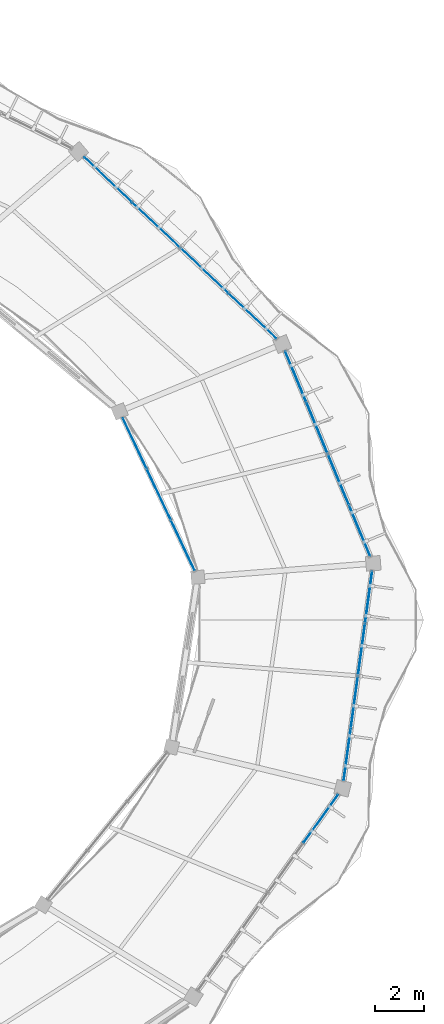
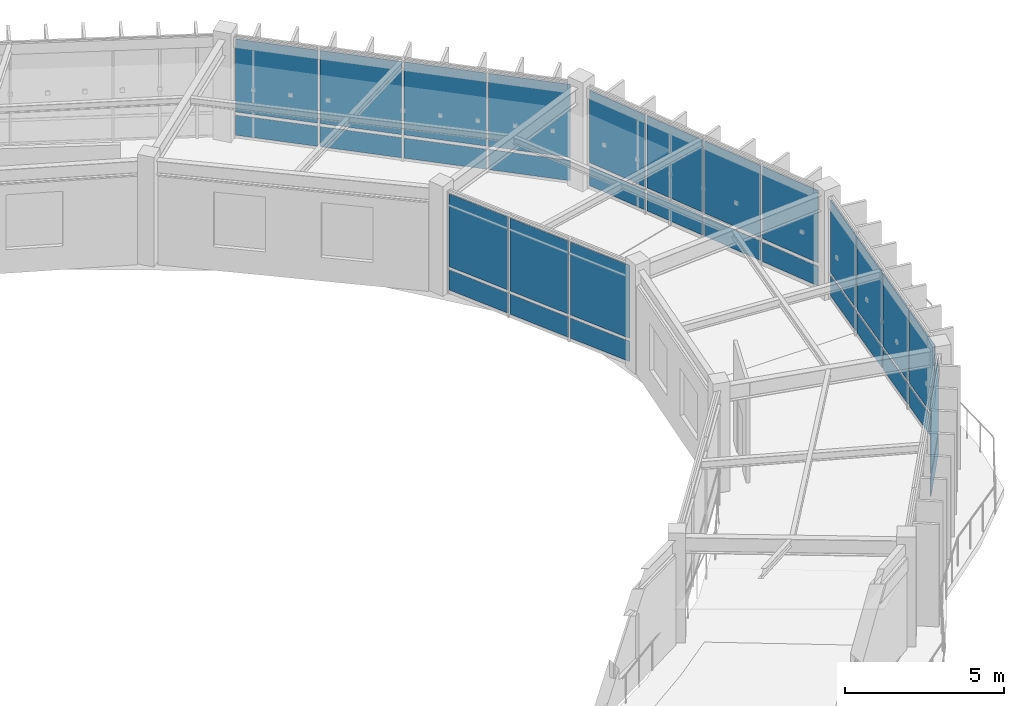
# One storey, part 65 of 83: 32 plates, 5 elements without a shape of their own.
"""IFC4 building model written with IfcOpenShell, lengths in metres."""

from ifc_helpers import new_model, si_unit, direction, frame, origin, origin_2d, place, context, subcontext, project, spatial, rectangle, extrude, material, layer, layer_set, type_object, element, aggregate, save


model = new_model("IFC4")

# Units and contexts
model_context = context("Model", 3, precision=1e-05, world=origin(), true_north=direction((0.0, 1.0)))
body_context = subcontext(model_context, "Body", "Model", "MODEL_VIEW")
ifc_project = project(units=[si_unit("LENGTHUNIT", "METRE"), si_unit("AREAUNIT", "SQUARE_METRE"), si_unit("VOLUMEUNIT", "CUBIC_METRE"), si_unit("PLANEANGLEUNIT", "RADIAN"), si_unit("MASSUNIT", "GRAM", prefix="KILO"), si_unit("THERMODYNAMICTEMPERATUREUNIT", "KELVIN"), si_unit("POWERUNIT", "WATT")], contexts=[model_context])

# Site, building, storey
site_placement = place(None, origin())
site = spatial("IfcSite", under=ifc_project, at=site_placement, CompositionType="ELEMENT")
building_placement = place(site_placement, origin())
building = spatial("IfcBuilding", under=site, at=building_placement, Name="Darbajah Civic Hall", CompositionType="ELEMENT")
storey_placement = place(building_placement, frame((0.0, 0.0, 18.0)))
storey = spatial("IfcBuildingStorey", under=building, at=storey_placement, Name="L04", CompositionType="ELEMENT", Elevation=18.0)

# Curtain wall, plates
ifc_material_1 = material(Name="Anodised Bronze Aluminium and Low-E Glazing", Category="aluminium")
curtain_wall_type_1 = type_object("IfcCurtainWallType", Name="Unitised Curtain Wall CW-55 6900x3900", PredefinedType="USERDEFINED", material=ifc_material_1)
curtain_wall_1_placement = place(storey_placement, origin())
curtain_wall_1 = element("IfcCurtainWall", 1, at=curtain_wall_1_placement, inside=storey, type_object=curtain_wall_type_1, Name="L04 unitised curtain wall CW-V1I-L04-00", ObjectType="UNITISED CURTAIN WALL", PredefinedType="USERDEFINED")
ifc_material_2 = material(Name="Low-E Solar Control Double Glazing", Category="glass")
ifc_layer_1 = layer(ifc_material_2, 0.028076171875, Name="Low-E Solar Control Double Glazing")
ifc_layer_set_1 = layer_set([ifc_layer_1], Name="Low-E Solar Control Double Glazing")
plate_type_1 = type_object("IfcPlateType", Name="Solar Double Glazing 28mm", PredefinedType="CURTAIN_PANEL", material=ifc_layer_set_1)
plate_1_placement = place(storey_placement, frame((132.153076171875, 92.847412109375, 0.119873046875), z_axis=(0.0, 0.0, 1.0), x_axis=(-0.426568739901, 0.904455145454, 0.0)))
plate_1 = element("IfcPlate", 2, at=plate_1_placement, type_object=plate_type_1, Name="CW-V1I-L04-00 glazed panel 1.1", PredefinedType="CURTAIN_PANEL", context=body_context, shape_type="SweptSolid", body=[
    extrude(rectangle(XDim=2.24560546875, YDim=0.028076171875, at=origin_2d()), origin(), (0.0, 0.0, 1.0), 0.77001953125),
])
plate_2_placement = place(storey_placement, frame((132.153076171875, 92.847412109375, 1.010009765625), z_axis=(0.0, 0.0, 1.0), x_axis=(-0.426568739901, 0.904455145454, 0.0)))
plate_2 = element("IfcPlate", 3, at=plate_2_placement, type_object=plate_type_1, Name="CW-V1I-L04-00 glazed panel 1.2", PredefinedType="CURTAIN_PANEL", context=body_context, shape_type="SweptSolid", body=[
    extrude(rectangle(XDim=2.24560546875, YDim=0.028076171875, at=origin_2d()), origin(), (0.0, 0.0, 1.0), 2.7900390625),
])
plate_3_placement = place(storey_placement, frame((131.165283203125, 94.941650390625, 0.119873046875), z_axis=(0.0, 0.0, 1.0), x_axis=(-0.426568739901, 0.904455145454, 0.0)))
plate_3 = element("IfcPlate", 4, at=plate_3_placement, type_object=plate_type_1, Name="CW-V1I-L04-00 glazed panel 2.1", PredefinedType="CURTAIN_PANEL", context=body_context, shape_type="SweptSolid", body=[
    extrude(rectangle(XDim=2.24560546875, YDim=0.028076171875, at=origin_2d()), origin(), (0.0, 0.0, 1.0), 0.77001953125),
])
plate_4_placement = place(storey_placement, frame((131.165283203125, 94.941650390625, 1.010009765625), z_axis=(0.0, 0.0, 1.0), x_axis=(-0.426568739901, 0.904455145454, 0.0)))
plate_4 = element("IfcPlate", 5, at=plate_4_placement, type_object=plate_type_1, Name="CW-V1I-L04-00 glazed panel 2.2", PredefinedType="CURTAIN_PANEL", context=body_context, shape_type="SweptSolid", body=[
    extrude(rectangle(XDim=2.24560546875, YDim=0.028076171875, at=origin_2d()), origin(), (0.0, 0.0, 1.0), 2.7900390625),
])
plate_5_placement = place(storey_placement, frame((130.177734375, 97.0361328125, 0.119873046875), z_axis=(0.0, 0.0, 1.0), x_axis=(-0.426568739901, 0.904455145454, 0.0)))
plate_5 = element("IfcPlate", 6, at=plate_5_placement, type_object=plate_type_1, Name="CW-V1I-L04-00 glazed panel 3.1", PredefinedType="CURTAIN_PANEL", context=body_context, shape_type="SweptSolid", body=[
    extrude(rectangle(XDim=2.24560546875, YDim=0.028076171875, at=origin_2d()), origin(), (0.0, 0.0, 1.0), 0.77001953125),
])
plate_6_placement = place(storey_placement, frame((130.177734375, 97.0361328125, 1.010009765625), z_axis=(0.0, 0.0, 1.0), x_axis=(-0.426568739901, 0.904455145454, 0.0)))
plate_6 = element("IfcPlate", 7, at=plate_6_placement, type_object=plate_type_1, Name="CW-V1I-L04-00 glazed panel 3.2", PredefinedType="CURTAIN_PANEL", context=body_context, shape_type="SweptSolid", body=[
    extrude(rectangle(XDim=2.24560546875, YDim=0.028076171875, at=origin_2d()), origin(), (0.0, 0.0, 1.0), 2.7900390625),
])
aggregate(curtain_wall_1, [plate_1, plate_2, plate_3, plate_4, plate_5, plate_6])

curtain_wall_type_2 = type_object("IfcCurtainWallType", Name="Unitised Curtain Wall CW-63 10900x3900", PredefinedType="USERDEFINED", material=ifc_material_1)
curtain_wall_2_placement = place(storey_placement, origin())
curtain_wall_2 = element("IfcCurtainWall", 8, at=curtain_wall_2_placement, inside=storey, type_object=curtain_wall_type_2, Name="L04 unitised curtain wall CW-V1O-L04-01", ObjectType="UNITISED CURTAIN WALL", PredefinedType="USERDEFINED")
plate_7_placement = place(storey_placement, frame((135.010986328125, 102.228515625, 0.119873046875), z_axis=(0.0, 0.0, 1.0), x_axis=(-0.727173991201, 0.686453193248, 0.0)))
plate_7 = element("IfcPlate", 9, at=plate_7_placement, type_object=plate_type_1, Name="CW-V1O-L04-01 glazed panel 1.1", PredefinedType="CURTAIN_PANEL", context=body_context, shape_type="SweptSolid", body=[
    extrude(rectangle(XDim=2.645263671875, YDim=0.028076171875, at=origin_2d()), origin(), (0.0, 0.0, 1.0), 0.77001953125),
])
plate_8_placement = place(storey_placement, frame((135.010986328125, 102.228515625, 1.010009765625), z_axis=(0.0, 0.0, 1.0), x_axis=(-0.727173991201, 0.686453193248, 0.0)))
plate_8 = element("IfcPlate", 10, at=plate_8_placement, type_object=plate_type_1, Name="CW-V1O-L04-01 glazed panel 1.2", PredefinedType="CURTAIN_PANEL", context=body_context, shape_type="SweptSolid", body=[
    extrude(rectangle(XDim=2.645263671875, YDim=0.028076171875, at=origin_2d()), origin(), (0.0, 0.0, 1.0), 2.7900390625),
])
plate_9_placement = place(storey_placement, frame((133.03662109375, 104.092041015625, 0.119873046875), z_axis=(0.0, 0.0, 1.0), x_axis=(-0.727173991201, 0.686453193248, 0.0)))
plate_9 = element("IfcPlate", 11, at=plate_9_placement, type_object=plate_type_1, Name="CW-V1O-L04-01 glazed panel 2.1", PredefinedType="CURTAIN_PANEL", context=body_context, shape_type="SweptSolid", body=[
    extrude(rectangle(XDim=2.645263671875, YDim=0.028076171875, at=origin_2d()), origin(), (0.0, 0.0, 1.0), 0.77001953125),
])
plate_10_placement = place(storey_placement, frame((133.03662109375, 104.092041015625, 1.010009765625), z_axis=(0.0, 0.0, 1.0), x_axis=(-0.727173991201, 0.686453193248, 0.0)))
plate_10 = element("IfcPlate", 12, at=plate_10_placement, type_object=plate_type_1, Name="CW-V1O-L04-01 glazed panel 2.2", PredefinedType="CURTAIN_PANEL", context=body_context, shape_type="SweptSolid", body=[
    extrude(rectangle(XDim=2.645263671875, YDim=0.028076171875, at=origin_2d()), origin(), (0.0, 0.0, 1.0), 2.7900390625),
])
plate_11_placement = place(storey_placement, frame((131.06201171875, 105.955810546875, 0.119873046875), z_axis=(0.0, 0.0, 1.0), x_axis=(-0.727173991201, 0.686453193248, 0.0)))
plate_11 = element("IfcPlate", 13, at=plate_11_placement, type_object=plate_type_1, Name="CW-V1O-L04-01 glazed panel 3.1", PredefinedType="CURTAIN_PANEL", context=body_context, shape_type="SweptSolid", body=[
    extrude(rectangle(XDim=2.645263671875, YDim=0.028076171875, at=origin_2d()), origin(), (0.0, 0.0, 1.0), 0.77001953125),
])
plate_12_placement = place(storey_placement, frame((131.06201171875, 105.955810546875, 1.010009765625), z_axis=(0.0, 0.0, 1.0), x_axis=(-0.727173991201, 0.686453193248, 0.0)))
plate_12 = element("IfcPlate", 14, at=plate_12_placement, type_object=plate_type_1, Name="CW-V1O-L04-01 glazed panel 3.2", PredefinedType="CURTAIN_PANEL", context=body_context, shape_type="SweptSolid", body=[
    extrude(rectangle(XDim=2.645263671875, YDim=0.028076171875, at=origin_2d()), origin(), (0.0, 0.0, 1.0), 2.7900390625),
])
plate_13_placement = place(storey_placement, frame((129.08740234375, 107.819580078125, 0.119873046875), z_axis=(0.0, 0.0, 1.0), x_axis=(-0.727173991201, 0.686453193248, 0.0)))
plate_13 = element("IfcPlate", 15, at=plate_13_placement, type_object=plate_type_1, Name="CW-V1O-L04-01 glazed panel 4.1", PredefinedType="CURTAIN_PANEL", context=body_context, shape_type="SweptSolid", body=[
    extrude(rectangle(XDim=2.645263671875, YDim=0.028076171875, at=origin_2d()), origin(), (0.0, 0.0, 1.0), 0.77001953125),
])
plate_14_placement = place(storey_placement, frame((129.08740234375, 107.819580078125, 1.010009765625), z_axis=(0.0, 0.0, 1.0), x_axis=(-0.727173991201, 0.686453193248, 0.0)))
plate_14 = element("IfcPlate", 16, at=plate_14_placement, type_object=plate_type_1, Name="CW-V1O-L04-01 glazed panel 4.2", PredefinedType="CURTAIN_PANEL", context=body_context, shape_type="SweptSolid", body=[
    extrude(rectangle(XDim=2.645263671875, YDim=0.028076171875, at=origin_2d()), origin(), (0.0, 0.0, 1.0), 2.7900390625),
])
aggregate(curtain_wall_2, [plate_7, plate_8, plate_9, plate_10, plate_11, plate_12, plate_13, plate_14])

curtain_wall_type_3 = type_object("IfcCurtainWallType", Name="Unitised Curtain Wall CW-76 8700x3900", PredefinedType="USERDEFINED", material=ifc_material_1)
curtain_wall_3_placement = place(storey_placement, origin())
curtain_wall_3 = element("IfcCurtainWall", 17, at=curtain_wall_3_placement, inside=storey, type_object=curtain_wall_type_3, Name="L04 unitised curtain wall CW-V1O-L04-19", ObjectType="UNITISED CURTAIN WALL", PredefinedType="USERDEFINED")
plate_15_placement = place(storey_placement, frame((138.8779296875, 84.287841796875, 0.119873046875), z_axis=(0.0, 0.0, 1.0), x_axis=(0.134850930274, 0.990865897387, 0.0)))
plate_15 = element("IfcPlate", 18, at=plate_15_placement, type_object=plate_type_1, Name="CW-V1O-L04-19 glazed panel 1.1", PredefinedType="CURTAIN_PANEL", context=body_context, shape_type="SweptSolid", body=[
    extrude(rectangle(XDim=2.1005859375, YDim=0.028076171875, at=origin_2d()), origin(), (0.0, 0.0, 1.0), 0.77001953125),
])
plate_16_placement = place(storey_placement, frame((138.8779296875, 84.287841796875, 1.010009765625), z_axis=(0.0, 0.0, 1.0), x_axis=(0.134850930274, 0.990865897387, 0.0)))
plate_16 = element("IfcPlate", 19, at=plate_16_placement, type_object=plate_type_1, Name="CW-V1O-L04-19 glazed panel 1.2", PredefinedType="CURTAIN_PANEL", context=body_context, shape_type="SweptSolid", body=[
    extrude(rectangle(XDim=2.1005859375, YDim=0.028076171875, at=origin_2d()), origin(), (0.0, 0.0, 1.0), 2.7900390625),
])
plate_17_placement = place(storey_placement, frame((139.17041015625, 86.438720703125, 0.119873046875), z_axis=(0.0, 0.0, 1.0), x_axis=(0.134850930274, 0.990865897387, 0.0)))
plate_17 = element("IfcPlate", 20, at=plate_17_placement, type_object=plate_type_1, Name="CW-V1O-L04-19 glazed panel 2.1", PredefinedType="CURTAIN_PANEL", context=body_context, shape_type="SweptSolid", body=[
    extrude(rectangle(XDim=2.1005859375, YDim=0.028076171875, at=origin_2d()), origin(), (0.0, 0.0, 1.0), 0.77001953125),
])
plate_18_placement = place(storey_placement, frame((139.17041015625, 86.438720703125, 1.010009765625), z_axis=(0.0, 0.0, 1.0), x_axis=(0.134850930274, 0.990865897387, 0.0)))
plate_18 = element("IfcPlate", 21, at=plate_18_placement, type_object=plate_type_1, Name="CW-V1O-L04-19 glazed panel 2.2", PredefinedType="CURTAIN_PANEL", context=body_context, shape_type="SweptSolid", body=[
    extrude(rectangle(XDim=2.1005859375, YDim=0.028076171875, at=origin_2d()), origin(), (0.0, 0.0, 1.0), 2.7900390625),
])
plate_19_placement = place(storey_placement, frame((139.463134765625, 88.589111328125, 0.119873046875), z_axis=(0.0, 0.0, 1.0), x_axis=(0.134850930274, 0.990865897387, 0.0)))
plate_19 = element("IfcPlate", 22, at=plate_19_placement, type_object=plate_type_1, Name="CW-V1O-L04-19 glazed panel 3.1", PredefinedType="CURTAIN_PANEL", context=body_context, shape_type="SweptSolid", body=[
    extrude(rectangle(XDim=2.1005859375, YDim=0.028076171875, at=origin_2d()), origin(), (0.0, 0.0, 1.0), 0.77001953125),
])
plate_20_placement = place(storey_placement, frame((139.463134765625, 88.589111328125, 1.010009765625), z_axis=(0.0, 0.0, 1.0), x_axis=(0.134850930274, 0.990865897387, 0.0)))
plate_20 = element("IfcPlate", 23, at=plate_20_placement, type_object=plate_type_1, Name="CW-V1O-L04-19 glazed panel 3.2", PredefinedType="CURTAIN_PANEL", context=body_context, shape_type="SweptSolid", body=[
    extrude(rectangle(XDim=2.1005859375, YDim=0.028076171875, at=origin_2d()), origin(), (0.0, 0.0, 1.0), 2.7900390625),
])
plate_21_placement = place(storey_placement, frame((139.755859375, 90.739990234375, 0.119873046875), z_axis=(0.0, 0.0, 1.0), x_axis=(0.134850930274, 0.990865897387, 0.0)))
plate_21 = element("IfcPlate", 24, at=plate_21_placement, type_object=plate_type_1, Name="CW-V1O-L04-19 glazed panel 4.1", PredefinedType="CURTAIN_PANEL", context=body_context, shape_type="SweptSolid", body=[
    extrude(rectangle(XDim=2.1005859375, YDim=0.028076171875, at=origin_2d()), origin(), (0.0, 0.0, 1.0), 0.77001953125),
])
plate_22_placement = place(storey_placement, frame((139.755859375, 90.739990234375, 1.010009765625), z_axis=(0.0, 0.0, 1.0), x_axis=(0.134850930274, 0.990865897387, 0.0)))
plate_22 = element("IfcPlate", 25, at=plate_22_placement, type_object=plate_type_1, Name="CW-V1O-L04-19 glazed panel 4.2", PredefinedType="CURTAIN_PANEL", context=body_context, shape_type="SweptSolid", body=[
    extrude(rectangle(XDim=2.1005859375, YDim=0.028076171875, at=origin_2d()), origin(), (0.0, 0.0, 1.0), 2.7900390625),
])
aggregate(curtain_wall_3, [plate_15, plate_16, plate_17, plate_18, plate_19, plate_20, plate_21, plate_22])

curtain_wall_type_4 = type_object("IfcCurtainWallType", Name="Unitised Curtain Wall CW-54 9100x3900", PredefinedType="USERDEFINED", material=ifc_material_1)
curtain_wall_4_placement = place(storey_placement, origin())
curtain_wall_4 = element("IfcCurtainWall", 26, at=curtain_wall_4_placement, inside=storey, type_object=curtain_wall_type_4, Name="L04 unitised curtain wall CW-V1O-L04-00", ObjectType="UNITISED CURTAIN WALL", PredefinedType="USERDEFINED")
ifc_layer_2 = layer(ifc_material_2, 0.031982421875, Name="Low-E Solar Control Double Glazing")
ifc_layer_set_2 = layer_set([ifc_layer_2], Name="Low-E Solar Control Double Glazing")
plate_type_2 = type_object("IfcPlateType", Name="Solar Double Glazing 32mm", PredefinedType="CURTAIN_PANEL", material=ifc_layer_set_2)
plate_23_placement = place(storey_placement, frame((139.390380859375, 93.445556640625, 0.14013671875), z_axis=(0.0, 0.0, 1.0), x_axis=(-0.383328328644, 0.923612143954, 0.0)))
plate_23 = element("IfcPlate", 27, at=plate_23_placement, type_object=plate_type_2, Name="CW-V1O-L04-00 glazed panel 1.1", PredefinedType="CURTAIN_PANEL", context=body_context, shape_type="SweptSolid", body=[
    extrude(rectangle(XDim=2.203369140625, YDim=0.031982421875, at=origin_2d()), origin(), (0.0, 0.0, 1.0), 0.739990234375),
])
plate_24_placement = place(storey_placement, frame((139.390380859375, 93.445556640625, 1.02001953125), z_axis=(0.0, 0.0, 1.0), x_axis=(-0.383328328644, 0.923612143954, 0.0)))
plate_24 = element("IfcPlate", 28, at=plate_24_placement, type_object=plate_type_2, Name="CW-V1O-L04-00 glazed panel 1.2", PredefinedType="CURTAIN_PANEL", context=body_context, shape_type="SweptSolid", body=[
    extrude(rectangle(XDim=2.203369140625, YDim=0.031982421875, at=origin_2d()), origin(), (0.0, 0.0, 1.0), 2.760009765625),
])
plate_25_placement = place(storey_placement, frame((138.51708984375, 95.5498046875, 0.14013671875), z_axis=(0.0, 0.0, 1.0), x_axis=(-0.383328328644, 0.923612143954, 0.0)))
plate_25 = element("IfcPlate", 29, at=plate_25_placement, type_object=plate_type_2, Name="CW-V1O-L04-00 glazed panel 2.1", PredefinedType="CURTAIN_PANEL", context=body_context, shape_type="SweptSolid", body=[
    extrude(rectangle(XDim=2.203369140625, YDim=0.031982421875, at=origin_2d()), origin(), (0.0, 0.0, 1.0), 0.739990234375),
])
plate_26_placement = place(storey_placement, frame((138.51708984375, 95.5498046875, 1.02001953125), z_axis=(0.0, 0.0, 1.0), x_axis=(-0.383328328644, 0.923612143954, 0.0)))
plate_26 = element("IfcPlate", 30, at=plate_26_placement, type_object=plate_type_2, Name="CW-V1O-L04-00 glazed panel 2.2", PredefinedType="CURTAIN_PANEL", context=body_context, shape_type="SweptSolid", body=[
    extrude(rectangle(XDim=2.203369140625, YDim=0.031982421875, at=origin_2d()), origin(), (0.0, 0.0, 1.0), 2.760009765625),
])
plate_27_placement = place(storey_placement, frame((137.643798828125, 97.654052734375, 0.14013671875), z_axis=(0.0, 0.0, 1.0), x_axis=(-0.383328328644, 0.923612143954, 0.0)))
plate_27 = element("IfcPlate", 31, at=plate_27_placement, type_object=plate_type_2, Name="CW-V1O-L04-00 glazed panel 3.1", PredefinedType="CURTAIN_PANEL", context=body_context, shape_type="SweptSolid", body=[
    extrude(rectangle(XDim=2.203369140625, YDim=0.031982421875, at=origin_2d()), origin(), (0.0, 0.0, 1.0), 0.739990234375),
])
plate_28_placement = place(storey_placement, frame((137.643798828125, 97.654052734375, 1.02001953125), z_axis=(0.0, 0.0, 1.0), x_axis=(-0.383328328644, 0.923612143954, 0.0)))
plate_28 = element("IfcPlate", 32, at=plate_28_placement, type_object=plate_type_2, Name="CW-V1O-L04-00 glazed panel 3.2", PredefinedType="CURTAIN_PANEL", context=body_context, shape_type="SweptSolid", body=[
    extrude(rectangle(XDim=2.203369140625, YDim=0.031982421875, at=origin_2d()), origin(), (0.0, 0.0, 1.0), 2.760009765625),
])
plate_29_placement = place(storey_placement, frame((136.7705078125, 99.75830078125, 0.14013671875), z_axis=(0.0, 0.0, 1.0), x_axis=(-0.383328328644, 0.923612143954, 0.0)))
plate_29 = element("IfcPlate", 33, at=plate_29_placement, type_object=plate_type_2, Name="CW-V1O-L04-00 glazed panel 4.1", PredefinedType="CURTAIN_PANEL", context=body_context, shape_type="SweptSolid", body=[
    extrude(rectangle(XDim=2.203369140625, YDim=0.031982421875, at=origin_2d()), origin(), (0.0, 0.0, 1.0), 0.739990234375),
])
plate_30_placement = place(storey_placement, frame((136.7705078125, 99.75830078125, 1.02001953125), z_axis=(0.0, 0.0, 1.0), x_axis=(-0.383328328644, 0.923612143954, 0.0)))
plate_30 = element("IfcPlate", 34, at=plate_30_placement, type_object=plate_type_2, Name="CW-V1O-L04-00 glazed panel 4.2", PredefinedType="CURTAIN_PANEL", context=body_context, shape_type="SweptSolid", body=[
    extrude(rectangle(XDim=2.203369140625, YDim=0.031982421875, at=origin_2d()), origin(), (0.0, 0.0, 1.0), 2.760009765625),
])
aggregate(curtain_wall_4, [plate_23, plate_24, plate_25, plate_26, plate_27, plate_28, plate_29, plate_30])

curtain_wall_type_5 = type_object("IfcCurtainWallType", Name="Unitised Curtain Wall CW-74 9900x3900", PredefinedType="USERDEFINED", material=ifc_material_1)
curtain_wall_5_placement = place(storey_placement, origin())
curtain_wall_5 = element("IfcCurtainWall", 35, at=curtain_wall_5_placement, inside=storey, type_object=curtain_wall_type_5, Name="L04 unitised curtain wall CW-V1O-L04-18", ObjectType="UNITISED CURTAIN WALL", PredefinedType="USERDEFINED")
plate_31_placement = place(storey_placement, frame((137.7958984375, 81.663330078125, 0.14013671875), z_axis=(0.0, 0.0, 1.0), x_axis=(0.582264874145, 0.812999149039, 0.0)))
plate_31 = element("IfcPlate", 36, at=plate_31_placement, type_object=plate_type_2, Name="CW-V1O-L04-18 glazed panel 4.1", PredefinedType="CURTAIN_PANEL", context=body_context, shape_type="SweptSolid", body=[
    extrude(rectangle(XDim=2.39599609375, YDim=0.031982421875, at=origin_2d()), origin(), (0.0, 0.0, 1.0), 0.739990234375),
])
plate_32_placement = place(storey_placement, frame((137.7958984375, 81.663330078125, 1.02001953125), z_axis=(0.0, 0.0, 1.0), x_axis=(0.582264874145, 0.812999149039, 0.0)))
plate_32 = element("IfcPlate", 37, at=plate_32_placement, type_object=plate_type_2, Name="CW-V1O-L04-18 glazed panel 4.2", PredefinedType="CURTAIN_PANEL", context=body_context, shape_type="SweptSolid", body=[
    extrude(rectangle(XDim=2.39599609375, YDim=0.031982421875, at=origin_2d()), origin(), (0.0, 0.0, 1.0), 2.760009765625),
])
aggregate(curtain_wall_5, [plate_31, plate_32])

save(model, "model.ifc")
